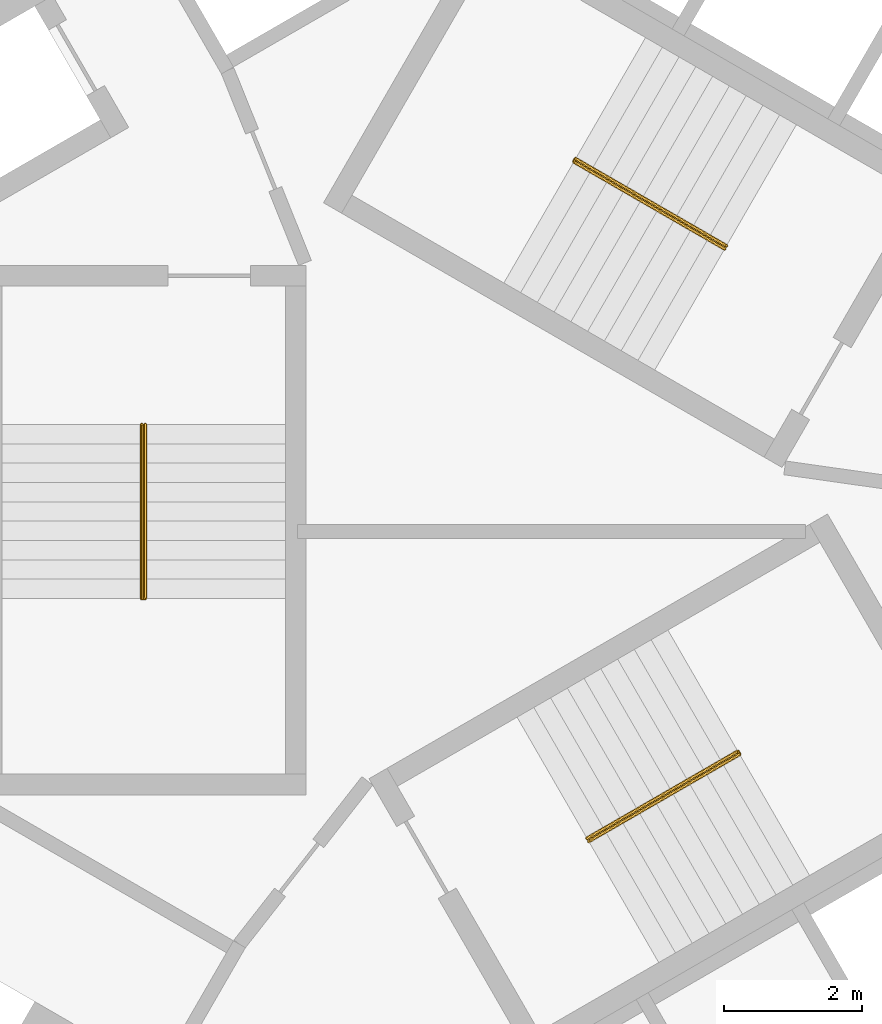
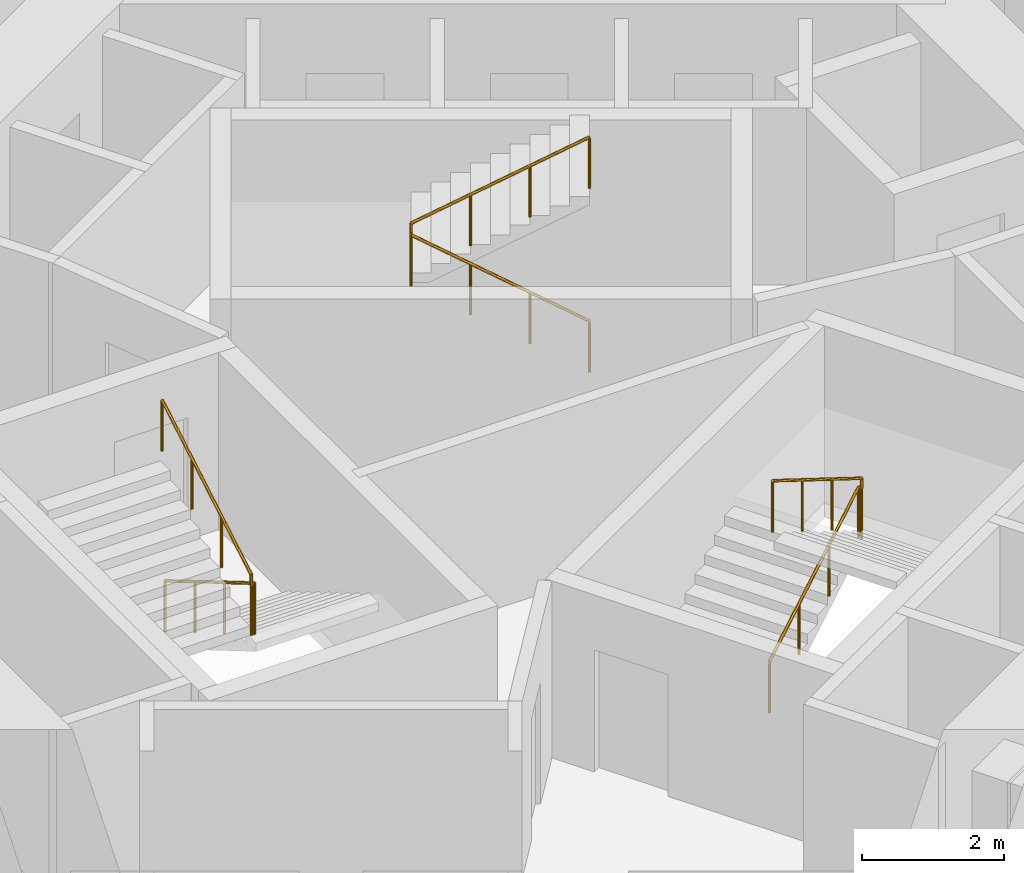
# One storey, part 11 of 11: 3 railings.
"""IFC4 building model written with IfcOpenShell, lengths in metres."""

from ifc_helpers import new_model, si_unit, direction, frame, origin, origin_2d, place, context, subcontext, project, spatial, circle, extrude, material, type_object, element, save


model = new_model("IFC4")

# Units and contexts
model_context = context("Model", 3, precision=1e-05, world=origin(), true_north=direction((0.0, 1.0)))
body_context = subcontext(model_context, "Body", "Model", "MODEL_VIEW")
ifc_project = project(units=[si_unit("LENGTHUNIT", "METRE"), si_unit("AREAUNIT", "SQUARE_METRE"), si_unit("VOLUMEUNIT", "CUBIC_METRE"), si_unit("PLANEANGLEUNIT", "RADIAN"), si_unit("MASSUNIT", "GRAM", prefix="KILO")], contexts=[model_context])

# Site, building, storey
site_placement = place(None, origin())
site = spatial("IfcSite", under=ifc_project, at=site_placement, CompositionType="ELEMENT")
building_placement = place(site_placement, origin())
building = spatial("IfcBuilding", under=site, at=building_placement, Name="Vanh Sen Convention Tower", CompositionType="ELEMENT")
storey_placement = place(building_placement, frame((0.0, 0.0, 96.800048828125)))
storey = spatial("IfcBuildingStorey", under=building, at=storey_placement, Name="L22", CompositionType="ELEMENT", Elevation=96.800048828125)

# Railings
ifc_material = material(Name="Stainless steel handrail", Category="steel")
railing_type = type_object("IfcRailingType", Name="Stair handrail 900", PredefinedType="HANDRAIL", material=ifc_material)
railing_1_placement = place(storey_placement, frame((3.45849609375, 3.690185546875, 0.1650390625)))
element("IfcRailing", 1, at=railing_1_placement, inside=storey, type_object=railing_type, Name="Stair handrail ST1 L22", PredefinedType="HANDRAIL", context=body_context, shape_type="SweptSolid", body=[
    extrude(circle(Radius=0.02392578125, at=origin_2d()), frame((0.0, 0.0, 0.8759765625), z_axis=(-0.746166161147, 0.430756550076, 0.507626688154), x_axis=(-0.499962843328, -0.866046855136, 0.0)), (0.0, 0.0, 1.0), 2.925048828125),
    extrude(circle(Radius=0.02392578125, at=origin_2d()), frame((-2.1826171875, 1.260009765625, 2.36083984375), z_axis=(0.502959906984, 0.86430974307, 0.0), x_axis=(-0.86430974307, 0.502959906984, 0.0)), (0.0, 0.0, 1.0), 0.050048828125),
    extrude(circle(Radius=0.02392578125, at=origin_2d()), frame((-2.157470703125, 1.30322265625, 2.36083984375), z_axis=(0.0, 0.0, 1.0), x_axis=(1.0, 0.0, 0.0)), (0.0, 0.0, 1.0), 0.1650390625),
    extrude(circle(Radius=0.02392578125, at=origin_2d()), frame((-2.157470703125, 1.30322265625, 2.52587890625), z_axis=(0.746097546679, -0.430765123438, 0.507720256902), x_axis=(0.500004791531, 0.866022637375, 0.0)), (0.0, 0.0, 1.0), 2.925048828125),
    extrude(circle(Radius=0.02099609375, at=origin_2d()), origin(), (0.0, 0.0, 1.0), 0.851806640625),
    extrude(circle(Radius=0.02099609375, at=origin_2d()), frame((-0.7275390625, 0.419921875, 0.494873046875)), (0.0, 0.0, 1.0), 0.851806640625),
    extrude(circle(Radius=0.02099609375, at=origin_2d()), frame((-1.455078125, 0.840087890625, 0.989990234375)), (0.0, 0.0, 1.0), 0.851806640625),
    extrude(circle(Radius=0.02099609375, at=origin_2d()), frame((-2.1826171875, 1.260009765625, 1.48486328125)), (0.0, 0.0, 1.0), 0.851806640625),
    extrude(circle(Radius=0.02099609375, at=origin_2d()), frame((-2.157470703125, 1.30322265625, 1.48486328125)), (0.0, 0.0, 1.0), 0.851806640625),
    extrude(circle(Radius=0.02099609375, at=origin_2d()), frame((-2.157470703125, 1.30322265625, 1.64990234375)), (0.0, 0.0, 1.0), 0.851806640625),
    extrude(circle(Radius=0.02099609375, at=origin_2d()), frame((-1.429931640625, 0.88330078125, 2.14501953125)), (0.0, 0.0, 1.0), 0.851806640625),
    extrude(circle(Radius=0.02099609375, at=origin_2d()), frame((-0.70263671875, 0.463134765625, 2.639892578125)), (0.0, 0.0, 1.0), 0.851806640625),
    extrude(circle(Radius=0.02099609375, at=origin_2d()), frame((0.02490234375, 0.043212890625, 3.135009765625)), (0.0, 0.0, 1.0), 0.851806640625),
])
railing_2_placement = place(storey_placement, frame((-4.925048828125, 1.14990234375, 0.1650390625)))
element("IfcRailing", 2, at=railing_2_placement, inside=storey, type_object=railing_type, Name="Stair handrail ST2 L22", PredefinedType="HANDRAIL", context=body_context, shape_type="SweptSolid", body=[
    extrude(circle(Radius=0.02392578125, at=origin_2d()), frame((0.0, 0.0, 0.8759765625), z_axis=(0.0, -0.861560626758, 0.507654692109), x_axis=(1.0, 0.0, 0.0)), (0.0, 0.0, 1.0), 2.925048828125),
    extrude(circle(Radius=0.02392578125, at=origin_2d()), frame((0.0, -2.52001953125, 2.36083984375), z_axis=(-1.0, 0.0, 0.0), x_axis=(0.0, -1.0, 0.0)), (0.0, 0.0, 1.0), 0.050048828125),
    extrude(circle(Radius=0.02392578125, at=origin_2d()), frame((-0.050048828125, -2.52001953125, 2.36083984375), z_axis=(0.0, 0.0, 1.0), x_axis=(1.0, 0.0, 0.0)), (0.0, 0.0, 1.0), 0.1650390625),
    extrude(circle(Radius=0.02392578125, at=origin_2d()), frame((-0.050048828125, -2.52001953125, 2.52587890625), z_axis=(0.0, 0.86152411907, 0.507716645641), x_axis=(-1.0, 0.0, 0.0)), (0.0, 0.0, 1.0), 2.925048828125),
    extrude(circle(Radius=0.02099609375, at=origin_2d()), origin(), (0.0, 0.0, 1.0), 0.851806640625),
    extrude(circle(Radius=0.02099609375, at=origin_2d()), frame((0.0, -0.840087890625, 0.494873046875)), (0.0, 0.0, 1.0), 0.851806640625),
    extrude(circle(Radius=0.02099609375, at=origin_2d()), frame((0.0, -1.679931640625, 0.989990234375)), (0.0, 0.0, 1.0), 0.851806640625),
    extrude(circle(Radius=0.02099609375, at=origin_2d()), frame((0.0, -2.52001953125, 1.48486328125)), (0.0, 0.0, 1.0), 0.851806640625),
    extrude(circle(Radius=0.02099609375, at=origin_2d()), frame((-0.050048828125, -2.52001953125, 1.48486328125)), (0.0, 0.0, 1.0), 0.851806640625),
    extrude(circle(Radius=0.02099609375, at=origin_2d()), frame((-0.050048828125, -2.52001953125, 1.64990234375)), (0.0, 0.0, 1.0), 0.851806640625),
    extrude(circle(Radius=0.02099609375, at=origin_2d()), frame((-0.050048828125, -1.679931640625, 2.14501953125)), (0.0, 0.0, 1.0), 0.851806640625),
    extrude(circle(Radius=0.02099609375, at=origin_2d()), frame((-0.050048828125, -0.840087890625, 2.639892578125)), (0.0, 0.0, 1.0), 0.851806640625),
    extrude(circle(Radius=0.02099609375, at=origin_2d()), frame((-0.050048828125, 0.0, 3.135009765625)), (0.0, 0.0, 1.0), 0.851806640625),
])
railing_3_placement = place(storey_placement, frame((1.466552734375, -4.840087890625, 0.1650390625)))
element("IfcRailing", 3, at=railing_3_placement, inside=storey, type_object=railing_type, Name="Stair handrail ST3 L22", PredefinedType="HANDRAIL", context=body_context, shape_type="SweptSolid", body=[
    extrude(circle(Radius=0.02392578125, at=origin_2d()), frame((0.0, 0.0, 0.8759765625), z_axis=(0.746129163535, 0.430783377672, 0.507658303235), x_axis=(-0.500004791531, 0.866022637375, 0.0)), (0.0, 0.0, 1.0), 2.9248046875),
    extrude(circle(Radius=0.02392578125, at=origin_2d()), frame((2.182373046875, 1.260009765625, 2.36083984375), z_axis=(0.500844580232, -0.86553723574, 0.0), x_axis=(0.86553723574, 0.500844580232, 0.0)), (0.0, 0.0, 1.0), 0.05029296875),
    extrude(circle(Radius=0.02392578125, at=origin_2d()), frame((2.20751953125, 1.216552734375, 2.36083984375), z_axis=(0.0, 0.0, 1.0), x_axis=(1.0, 0.0, 0.0)), (0.0, 0.0, 1.0), 0.1650390625),
    extrude(circle(Radius=0.02392578125, at=origin_2d()), frame((2.20751953125, 1.216552734375, 2.52587890625), z_axis=(-0.746097546679, -0.430765123438, 0.507720256902), x_axis=(0.500004791531, -0.866022637375, 0.0)), (0.0, 0.0, 1.0), 2.925048828125),
    extrude(circle(Radius=0.02099609375, at=origin_2d()), origin(), (0.0, 0.0, 1.0), 0.851806640625),
    extrude(circle(Radius=0.02099609375, at=origin_2d()), frame((0.7275390625, 0.419921875, 0.494873046875)), (0.0, 0.0, 1.0), 0.851806640625),
    extrude(circle(Radius=0.02099609375, at=origin_2d()), frame((1.454833984375, 0.840087890625, 0.989990234375)), (0.0, 0.0, 1.0), 0.851806640625),
    extrude(circle(Radius=0.02099609375, at=origin_2d()), frame((2.182373046875, 1.260009765625, 1.48486328125)), (0.0, 0.0, 1.0), 0.851806640625),
    extrude(circle(Radius=0.02099609375, at=origin_2d()), frame((2.20751953125, 1.216552734375, 1.48486328125)), (0.0, 0.0, 1.0), 0.851806640625),
    extrude(circle(Radius=0.02099609375, at=origin_2d()), frame((2.20751953125, 1.216552734375, 1.64990234375)), (0.0, 0.0, 1.0), 0.851806640625),
    extrude(circle(Radius=0.02099609375, at=origin_2d()), frame((1.47998046875, 0.796630859375, 2.14501953125)), (0.0, 0.0, 1.0), 0.851806640625),
    extrude(circle(Radius=0.02099609375, at=origin_2d()), frame((0.752685546875, 0.37646484375, 2.639892578125)), (0.0, 0.0, 1.0), 0.851806640625),
    extrude(circle(Radius=0.02099609375, at=origin_2d()), frame((0.025146484375, -0.04345703125, 3.135009765625)), (0.0, 0.0, 1.0), 0.851806640625),
])

save(model, "model.ifc")
